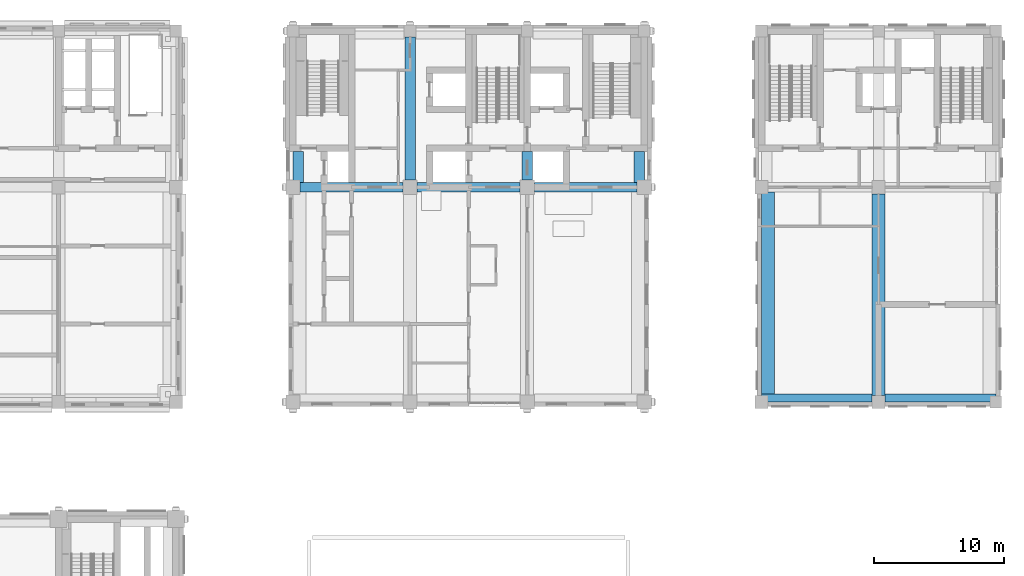
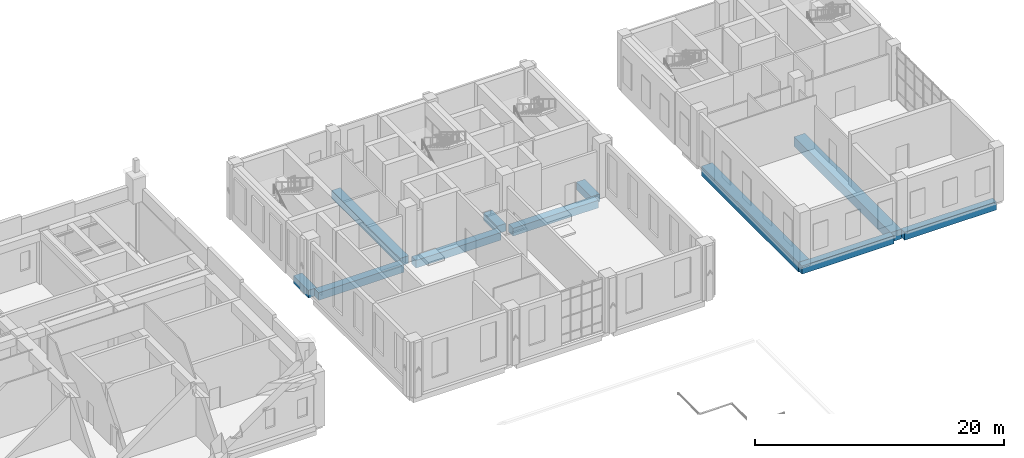
# One storey, part 6 of 37: 11 beams.
"""IFC4 building model written with IfcOpenShell, lengths in metres."""

from ifc_helpers import new_model, si_unit, direction, frame, origin, origin_2d, place, context, subcontext, project, spatial, rectangle, extrude, material, material_profile, profile_set, type_object, element, save


model = new_model("IFC4")

# Units and contexts
model_context = context("Model", 3, precision=1e-05, world=origin(), true_north=direction((0.0, 1.0)))
body_context = subcontext(model_context, "Body", "Model", "MODEL_VIEW")
ifc_project = project(units=[si_unit("LENGTHUNIT", "METRE"), si_unit("AREAUNIT", "SQUARE_METRE"), si_unit("VOLUMEUNIT", "CUBIC_METRE"), si_unit("PLANEANGLEUNIT", "RADIAN"), si_unit("MASSUNIT", "GRAM", prefix="KILO")], contexts=[model_context])

# Site, building, storey
site_placement = place(None, origin())
site = spatial("IfcSite", under=ifc_project, at=site_placement, CompositionType="ELEMENT")
building_placement = place(site_placement, origin())
building = spatial("IfcBuilding", under=site, at=building_placement, Name="Aurelan Courthouse", CompositionType="ELEMENT")
storey_placement = place(building_placement, frame((0.0, 0.0, 17.39990234375)))
storey = spatial("IfcBuildingStorey", under=building, at=storey_placement, Name="L03", CompositionType="ELEMENT", Elevation=17.39990234375)

# Beams
ifc_material = material(Name="Concrete C50", Category="concrete")
ifc_material_profile_1 = material_profile(ifc_material, rectangle(XDim=0.699951171875, YDim=0.75, at=origin_2d()), Name="RC 700 x 750")
ifc_profile_set_1 = profile_set([ifc_material_profile_1], Name="Concrete C50")
beam_type_1 = type_object("IfcBeamType", Name="PT beam 700 x 750", PredefinedType="BEAM", material=ifc_profile_set_1)
for number, where, z_axis, x_axis, name in (
    (1, (36.550048828125, 54.0, -0.625), (1.0, 0.0, 0.0), (0.0, 1.0, 0.0), "Beam EB-E-5-6"),
    (2, (45.550048828125, 54.0, -0.625), (1.0, 0.0, 0.0), (0.0, 1.0, 0.0), "Beam EB-E-6-7"),
    (3, (54.550048828125, 54.0, -0.625), (1.0, 0.0, 0.0), (0.0, 1.0, 0.0), "Beam EB-E-7-8"),
):
    element("IfcBeam", number, at=place(storey_placement, frame(where, z_axis=z_axis, x_axis=x_axis)), inside=storey, type_object=beam_type_1, Name=name, PredefinedType="BEAM", context=body_context, shape_type="SweptSolid", body=[
        extrude(rectangle(XDim=0.699951171875, YDim=0.75, at=origin_2d()), origin(), (0.0, 0.0, 1.0), 7.89990234375),
    ])
ifc_material_profile_2 = material_profile(ifc_material, rectangle(XDim=1.0, YDim=0.949951171875, at=origin_2d()), Name="RC 1000 x 950")
ifc_profile_set_2 = profile_set([ifc_material_profile_2], Name="Concrete C50")
beam_type_2 = type_object("IfcBeamType", Name="PT girder 1000 x 950", PredefinedType="BEAM", material=ifc_profile_set_2)
beam_1_placement = place(storey_placement, frame((72.5, 38.10009765625, -0.724853515625), z_axis=(0.0, 1.0, 0.0), x_axis=(-1.0, 0.0, 0.0)))
element("IfcBeam", 4, at=beam_1_placement, inside=storey, type_object=beam_type_2, Name="Girder GB-9DE-E", PredefinedType="BEAM", context=body_context, shape_type="SweptSolid", body=[
    extrude(rectangle(XDim=1.0, YDim=0.949951171875, at=origin_2d()), origin(), (0.0, 0.0, 1.0), 15.5498046875),
])
beam_2_placement = place(storey_placement, frame((81.0, 38.0, -0.724853515625), z_axis=(0.0, 1.0, 0.0), x_axis=(-1.0, 0.0, 0.0)))
element("IfcBeam", 5, at=beam_2_placement, inside=storey, type_object=beam_type_2, Name="Girder GB-10DE", PredefinedType="BEAM", context=body_context, shape_type="SweptSolid", body=[
    extrude(rectangle(XDim=1.0, YDim=0.949951171875, at=origin_2d()), origin(), (0.0, 0.0, 1.0), 15.5),
])
ifc_material_profile_3 = material_profile(ifc_material, rectangle(XDim=0.800048828125, YDim=0.75, at=origin_2d()), Name="RC 800 x 750")
ifc_profile_set_3 = profile_set([ifc_material_profile_3], Name="Concrete C50")
beam_type_3 = type_object("IfcBeamType", Name="PT girder 800 x 750", PredefinedType="BEAM", material=ifc_profile_set_3)
beam_3_placement = place(storey_placement, frame((36.39990234375, 54.35009765625, -0.625), z_axis=(0.0, 1.0, 0.0), x_axis=(-1.0, 0.0, 0.0)))
element("IfcBeam", 6, at=beam_3_placement, inside=storey, type_object=beam_type_3, Name="Girder GB-5EF-E", PredefinedType="BEAM", context=body_context, shape_type="SweptSolid", body=[
    extrude(rectangle(XDim=0.800048828125, YDim=0.75, at=origin_2d()), origin(), (0.0, 0.0, 1.0), 2.39990234375),
])
beam_4_placement = place(storey_placement, frame((45.0, 54.550048828125, -0.625), z_axis=(0.0, 1.0, 0.0), x_axis=(-1.0, 0.0, 0.0)))
element("IfcBeam", 7, at=beam_4_placement, inside=storey, type_object=beam_type_3, Name="Girder GB-6EF", PredefinedType="BEAM", context=body_context, shape_type="SweptSolid", body=[
    extrude(rectangle(XDim=0.800048828125, YDim=0.75, at=origin_2d()), origin(), (0.0, 0.0, 1.0), 11.0),
])
beam_5_placement = place(storey_placement, frame((54.0, 54.550048828125, -0.625), z_axis=(0.0, 1.0, 0.0), x_axis=(-1.0, 0.0, 0.0)))
element("IfcBeam", 8, at=beam_5_placement, inside=storey, type_object=beam_type_3, Name="Girder GB-7EF", PredefinedType="BEAM", context=body_context, shape_type="SweptSolid", body=[
    extrude(rectangle(XDim=0.800048828125, YDim=0.75, at=origin_2d()), origin(), (0.0, 0.0, 1.0), 2.199951171875),
])
beam_6_placement = place(storey_placement, frame((62.60009765625, 54.35009765625, -0.625), z_axis=(0.0, 1.0, 0.0), x_axis=(-1.0, 0.0, 0.0)))
element("IfcBeam", 9, at=beam_6_placement, inside=storey, type_object=beam_type_3, Name="Girder GB-8EF-E", PredefinedType="BEAM", context=body_context, shape_type="SweptSolid", body=[
    extrude(rectangle(XDim=0.800048828125, YDim=0.75, at=origin_2d()), origin(), (0.0, 0.0, 1.0), 2.39990234375),
])
ifc_material_profile_4 = material_profile(ifc_material, rectangle(XDim=0.60009765625, YDim=0.800048828125, at=origin_2d()), Name="RC 600 x 800")
ifc_profile_set_4 = profile_set([ifc_material_profile_4], Name="Concrete C50")
beam_type_4 = type_object("IfcBeamType", Name="RC spandrel beam 600 x 800", PredefinedType="SPANDREL", material=ifc_profile_set_4)
for number, where, z_axis, x_axis, name in (
    (10, (72.0, 37.800048828125, -0.64990234375), (1.0, 0.0, 0.0), (0.0, 1.0, 0.0), "Spandrel beam SB-D-9-10"),
    (11, (81.5, 37.800048828125, -0.64990234375), (1.0, 0.0, 0.0), (0.0, 1.0, 0.0), "Spandrel beam SB-D-10-11"),
):
    element("IfcBeam", number, at=place(storey_placement, frame(where, z_axis=z_axis, x_axis=x_axis)), inside=storey, type_object=beam_type_4, Name=name, PredefinedType="SPANDREL", context=body_context, shape_type="SweptSolid", body=[
        extrude(rectangle(XDim=0.60009765625, YDim=0.800048828125, at=origin_2d()), origin(), (0.0, 0.0, 1.0), 8.5),
    ])

save(model, "model.ifc")
